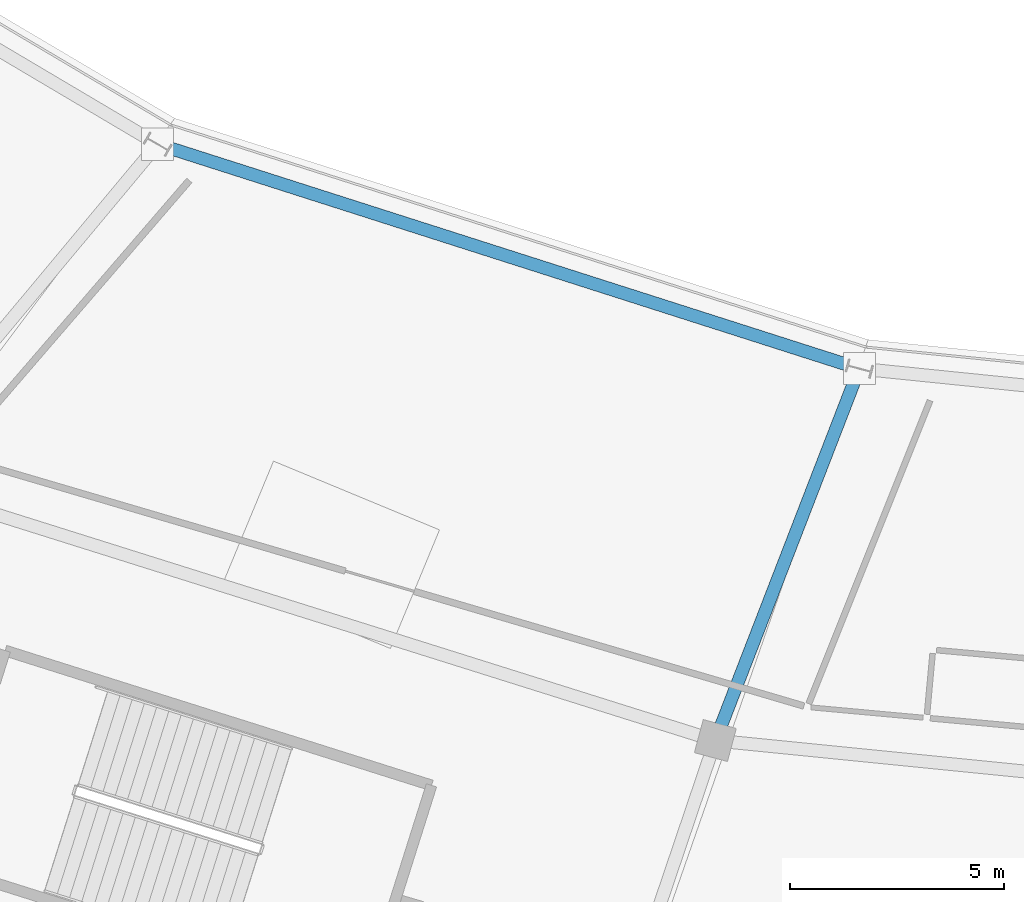
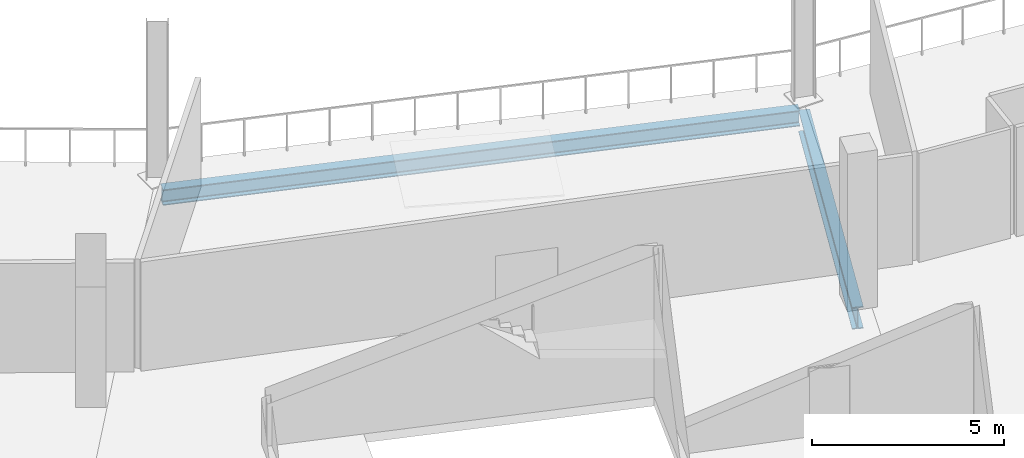
# One storey, part 35 of 179: 2 beams.
"""IFC4 building model written with IfcOpenShell, lengths in metres."""

from ifc_helpers import new_model, si_unit, direction, frame, origin, origin_2d, place, context, subcontext, project, spatial, i_section, extrude, material, material_profile, profile_set, type_object, element, save


model = new_model("IFC4")

# Units and contexts
model_context = context("Model", 3, precision=1e-05, world=origin(), true_north=direction((0.0, 1.0)))
body_context = subcontext(model_context, "Body", "Model", "MODEL_VIEW")
ifc_project = project(units=[si_unit("LENGTHUNIT", "METRE"), si_unit("AREAUNIT", "SQUARE_METRE"), si_unit("VOLUMEUNIT", "CUBIC_METRE"), si_unit("PLANEANGLEUNIT", "RADIAN"), si_unit("MASSUNIT", "GRAM", prefix="KILO")], contexts=[model_context])

# Site, building, storey
site_placement = place(None, origin())
site = spatial("IfcSite", under=ifc_project, at=site_placement, CompositionType="ELEMENT")
building_placement = place(site_placement, origin())
building = spatial("IfcBuilding", under=site, at=building_placement, Name="Zlatoyarsky Gate Stadium", CompositionType="ELEMENT")
storey_placement = place(building_placement, frame((0.0, 0.0, 10.60009765625)))
storey = spatial("IfcBuildingStorey", under=building, at=storey_placement, Name="L02", CompositionType="ELEMENT", Elevation=10.60009765625)

# Beams
ifc_material = material(Name="Steel S355", Category="steel")
ifc_material_profile_1 = material_profile(ifc_material, i_section(OverallWidth=0.300048828125, OverallDepth=0.5, WebThickness=0.014404296875, FlangeThickness=0.028076171875, FilletRadius=0.027099609375, at=origin_2d()), Name="HEB 500")
ifc_profile_set_1 = profile_set([ifc_material_profile_1], Name="Steel S355")
beam_type_1 = type_object("IfcBeamType", Name="STEEL PRIMARY GIRDER HEB 500", PredefinedType="BEAM", material=ifc_profile_set_1)
beam_1_placement = place(storey_placement, frame((77.1142578125, 34.4970703125, -0.530029296875), z_axis=(0.952480396568, -0.304599891914, 0.0), x_axis=(0.304599891914, 0.952480396568, 0.0)))
element("IfcBeam", 1, at=beam_1_placement, inside=storey, type_object=beam_type_1, Name="Beam G-HEB500 BM-L02-CRA-16", PredefinedType="BEAM", context=body_context, shape_type="SweptSolid", body=[
    extrude(i_section(OverallWidth=0.300048828125, OverallDepth=0.5, WebThickness=0.014404296875, FlangeThickness=0.028076171875, FilletRadius=0.027099609375, at=origin_2d()), origin(), (0.0, 0.0, 1.0), 16.978515625),
])
ifc_material_profile_2 = material_profile(ifc_material, i_section(OverallWidth=0.300048828125, OverallDepth=0.699951171875, WebThickness=0.01708984375, FlangeThickness=0.031982421875, FilletRadius=0.027099609375, at=origin_2d()), Name="HEB 700")
ifc_profile_set_2 = profile_set([ifc_material_profile_2], Name="Steel S355")
beam_type_2 = type_object("IfcBeamType", Name="STEEL PRIMARY GIRDER HEB 700", PredefinedType="BEAM", material=ifc_profile_set_2)
beam_2_placement = place(storey_placement, frame((93.35693359375, 29.177001953125, -0.630126953125), z_axis=(-0.36092924223, -0.932593202904, 0.0), x_axis=(0.932593202904, -0.36092924223, 0.0)))
element("IfcBeam", 2, at=beam_2_placement, inside=storey, type_object=beam_type_2, Name="Beam G-HEB700 BM-L02-RAB-17", PredefinedType="BEAM", context=body_context, shape_type="SweptSolid", body=[
    extrude(i_section(OverallWidth=0.300048828125, OverallDepth=0.699951171875, WebThickness=0.01708984375, FlangeThickness=0.031982421875, FilletRadius=0.027099609375, at=origin_2d()), origin(), (0.0, 0.0, 1.0), 9.08154296875),
])

save(model, "model.ifc")
